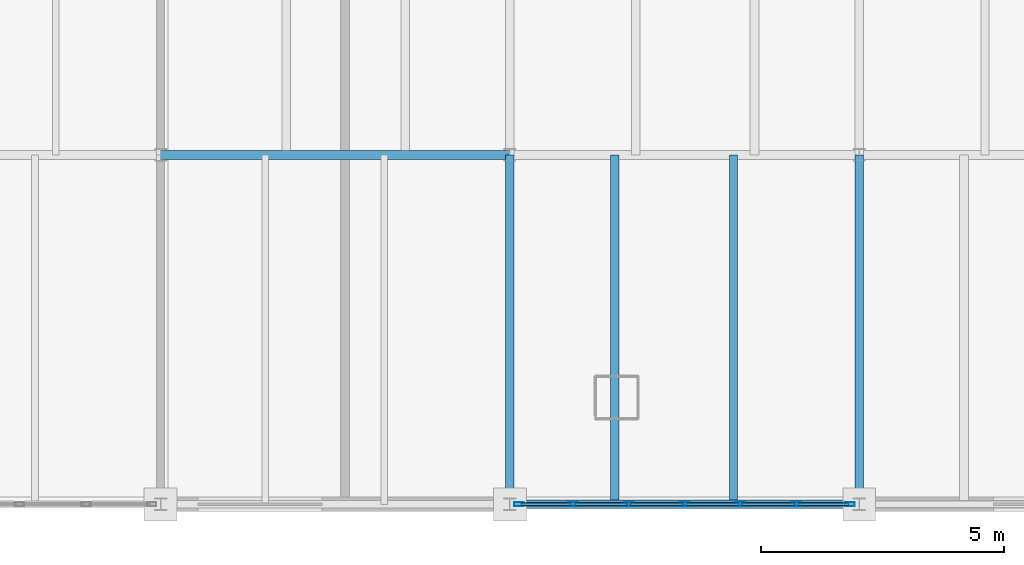
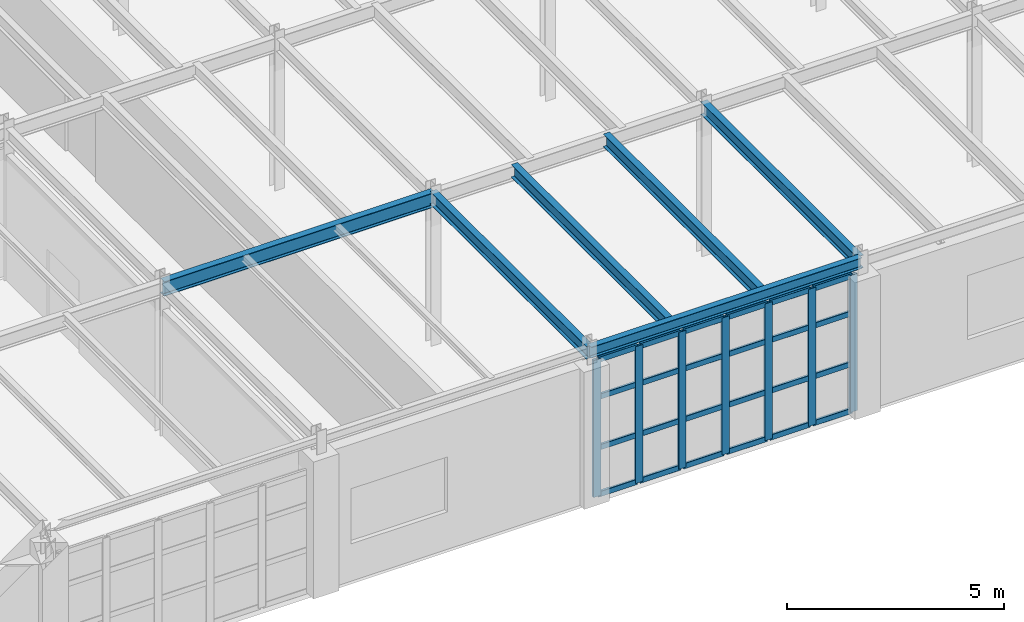
# One storey, part 10 of 36: 31 members, 6 beams, 1 element without a shape of its own.
"""IFC4 building model written with IfcOpenShell, lengths in metres."""

from ifc_helpers import new_model, si_unit, direction, frame, origin, origin_2d, place, context, subcontext, project, spatial, hollow_rectangle, i_section, extrude, material, layer, layer_set, material_profile, profile_set, type_object, element, aggregate, save


model = new_model("IFC4")

# Units and contexts
model_context = context("Model", 3, precision=1e-05, world=origin(), true_north=direction((0.0, 1.0)))
body_context = subcontext(model_context, "Body", "Model", "MODEL_VIEW")
ifc_project = project(units=[si_unit("LENGTHUNIT", "METRE"), si_unit("AREAUNIT", "SQUARE_METRE"), si_unit("VOLUMEUNIT", "CUBIC_METRE"), si_unit("PLANEANGLEUNIT", "RADIAN"), si_unit("MASSUNIT", "GRAM", prefix="KILO")], contexts=[model_context])

# Site, building, storey
site_placement = place(None, origin())
site = spatial("IfcSite", under=ifc_project, at=site_placement, CompositionType="ELEMENT")
building_placement = place(site_placement, origin())
building = spatial("IfcBuilding", under=site, at=building_placement, Name="Kemerveld Promenade Tramway Depot", CompositionType="ELEMENT")
storey_placement = place(building_placement, frame((0.0, 0.0, 14.39990234375)))
storey = spatial("IfcBuildingStorey", under=building, at=storey_placement, Name="L03", CompositionType="ELEMENT", Elevation=14.39990234375)

# Beams
ifc_material_1 = material(Name="Steel S355", Category="steel")
ifc_material_profile_1 = material_profile(ifc_material_1, i_section(OverallWidth=0.1787109375, OverallDepth=0.409423828125, WebThickness=0.0087890625, FlangeThickness=0.014404296875, FilletRadius=0.01025390625, at=origin_2d()), Name="406x178x67 UB")
ifc_profile_set_1 = profile_set([ifc_material_profile_1], Name="Steel S355")
beam_type_1 = type_object("IfcBeamType", Name="BM-G07", PredefinedType="BEAM", material=ifc_profile_set_1)
beam_1_placement = place(storey_placement, frame((14.39990234375, 7.199951171875, 4.080322265625), z_axis=(1.0, 0.0, 0.0), x_axis=(0.0, 1.0, 0.0)))
element("IfcBeam", 1, at=beam_1_placement, inside=storey, type_object=beam_type_1, Name="BMX-L03-03-04-B", PredefinedType="BEAM", context=body_context, shape_type="SweptSolid", body=[
    extrude(i_section(OverallWidth=0.1787109375, OverallDepth=0.409423828125, WebThickness=0.0087890625, FlangeThickness=0.014404296875, FilletRadius=0.01025390625, at=origin_2d()), origin(), (0.0, 0.0, 1.0), 7.2001953125),
])
ifc_material_profile_2 = material_profile(ifc_material_1, i_section(OverallWidth=0.172119140625, OverallDepth=0.35791015625, WebThickness=0.008056640625, FlangeThickness=0.012939453125, FilletRadius=0.01025390625, at=origin_2d()), Name="356x171x57 UB")
ifc_profile_set_2 = profile_set([ifc_material_profile_2], Name="Steel S355")
beam_type_2 = type_object("IfcBeamType", Name="BM-G08", PredefinedType="BEAM", material=ifc_profile_set_2)
for number, where, z_axis, x_axis, name in (
    (2, (21.60009765625, 0.0, 4.106201171875), (0.0, 1.0, 0.0), (-1.0, 0.0, 0.0), "BMY-L03-04-A-B"),
    (3, (28.800048828125, 0.0, 4.106201171875), (0.0, 1.0, 0.0), (-1.0, 0.0, 0.0), "BMY-L03-05-A-B"),
):
    element("IfcBeam", number, at=place(storey_placement, frame(where, z_axis=z_axis, x_axis=x_axis)), inside=storey, type_object=beam_type_2, Name=name, PredefinedType="BEAM", context=body_context, shape_type="SweptSolid", body=[
        extrude(i_section(OverallWidth=0.172119140625, OverallDepth=0.35791015625, WebThickness=0.008056640625, FlangeThickness=0.012939453125, FilletRadius=0.01025390625, at=origin_2d()), origin(), (0.0, 0.0, 1.0), 7.199951171875),
    ])
ifc_material_profile_3 = material_profile(ifc_material_1, i_section(OverallWidth=0.165771484375, OverallDepth=0.306640625, WebThickness=0.006591796875, FlangeThickness=0.01171875, FilletRadius=0.0087890625, at=origin_2d()), Name="305x165x46 UB")
ifc_profile_set_3 = profile_set([ifc_material_profile_3], Name="Steel S355")
beam_type_3 = type_object("IfcBeamType", Name="BM-G16", PredefinedType="BEAM", material=ifc_profile_set_3)
beam_2_placement = place(storey_placement, frame((21.60009765625, 0.0, 4.1318359375), z_axis=(1.0, 0.0, 0.0), x_axis=(0.0, 1.0, 0.0)))
element("IfcBeam", 4, at=beam_2_placement, inside=storey, type_object=beam_type_3, Name="BMX-L03-04-05-A", PredefinedType="BEAM", context=body_context, shape_type="SweptSolid", body=[
    extrude(i_section(OverallWidth=0.165771484375, OverallDepth=0.306640625, WebThickness=0.006591796875, FlangeThickness=0.01171875, FilletRadius=0.0087890625, at=origin_2d()), origin(), (0.0, 0.0, 1.0), 7.199951171875),
])
ifc_material_profile_4 = material_profile(ifc_material_1, i_section(OverallWidth=0.172119140625, OverallDepth=0.35791015625, WebThickness=0.008056640625, FlangeThickness=0.012939453125, FilletRadius=0.01025390625, at=origin_2d()), Name="356x171x57 UB")
ifc_profile_set_4 = profile_set([ifc_material_profile_4], Name="Steel S355")
beam_type_4 = type_object("IfcBeamType", Name="BM-J04", PredefinedType="JOIST", material=ifc_profile_set_4)
for number, where, z_axis, x_axis, name in (
    (5, (23.760009765625, 0.0, 4.106201171875), (0.0, 1.0, 0.0), (-1.0, 0.0, 0.0), "JST-L03-04-A-1"),
    (6, (26.2080078125, 0.0, 4.106201171875), (0.0, 1.0, 0.0), (-1.0, 0.0, 0.0), "JST-L03-04-A-2"),
):
    element("IfcBeam", number, at=place(storey_placement, frame(where, z_axis=z_axis, x_axis=x_axis)), inside=storey, type_object=beam_type_4, Name=name, PredefinedType="JOIST", context=body_context, shape_type="SweptSolid", body=[
        extrude(i_section(OverallWidth=0.172119140625, OverallDepth=0.35791015625, WebThickness=0.008056640625, FlangeThickness=0.012939453125, FilletRadius=0.01025390625, at=origin_2d()), origin(), (0.0, 0.0, 1.0), 7.199951171875),
    ])

# Curtain wall, members
ifc_material_2 = material(Name="Bronze anodised aluminium and solar glass", Category="aluminium")
ifc_layer = layer(ifc_material_2, 0.199951171875)
ifc_layer_set = layer_set([ifc_layer], Name="CW-SYS-06")
curtain_wall_type = type_object("IfcCurtainWallType", Name="CW-SYS-06", PredefinedType="USERDEFINED", material=ifc_layer_set)
curtain_wall_placement = place(storey_placement, origin())
curtain_wall = element("IfcCurtainWall", 7, at=curtain_wall_placement, inside=storey, type_object=curtain_wall_type, Name="CW-L03-V5S-03", ObjectType="GLAZED_CURTAIN_WALL", PredefinedType="USERDEFINED")
ifc_material_3 = material(Name="Bronze anodised aluminium", Category="aluminium")
ifc_material_profile_5 = material_profile(ifc_material_3, hollow_rectangle(XDim=0.074951171875, YDim=0.199951171875, WallThickness=0.0048828125, InnerFilletRadius=0.001953125, OuterFilletRadius=0.0048828125, at=origin_2d()), Name="CW-MUL-200x75")
ifc_profile_set_5 = profile_set([ifc_material_profile_5], Name="Bronze anodised aluminium")
member_type_1 = type_object("IfcMemberType", Name="CW-MUL-B", PredefinedType="MULLION", material=ifc_profile_set_5)
member_1_placement = place(storey_placement, frame((28.6123046875, 0.0, 0.0), z_axis=(0.0, 0.0, 1.0), x_axis=(0.0, -1.0, 0.0)))
member_1 = element("IfcMember", 8, at=member_1_placement, type_object=member_type_1, Name="CW06 mullion 1", PredefinedType="MULLION", context=body_context, shape_type="SweptSolid", body=[
    extrude(hollow_rectangle(XDim=0.074951171875, YDim=0.199951171875, WallThickness=0.0048828125, InnerFilletRadius=0.001953125, OuterFilletRadius=0.0048828125, at=origin_2d()), origin(), (0.0, 0.0, 1.0), 3.85009765625),
])
member_2_placement = place(storey_placement, frame((27.5, 0.0, 0.0), z_axis=(0.0, 0.0, 1.0), x_axis=(0.0, -1.0, 0.0)))
member_2 = element("IfcMember", 9, at=member_2_placement, type_object=member_type_1, Name="CW06 mullion 2", PredefinedType="MULLION", context=body_context, shape_type="SweptSolid", body=[
    extrude(hollow_rectangle(XDim=0.074951171875, YDim=0.199951171875, WallThickness=0.0048828125, InnerFilletRadius=0.001953125, OuterFilletRadius=0.0048828125, at=origin_2d()), origin(), (0.0, 0.0, 1.0), 3.85009765625),
])
member_3_placement = place(storey_placement, frame((26.35009765625, 0.0, 0.0), z_axis=(0.0, 0.0, 1.0), x_axis=(0.0, -1.0, 0.0)))
member_3 = element("IfcMember", 10, at=member_3_placement, type_object=member_type_1, Name="CW06 mullion 3", PredefinedType="MULLION", context=body_context, shape_type="SweptSolid", body=[
    extrude(hollow_rectangle(XDim=0.074951171875, YDim=0.199951171875, WallThickness=0.0048828125, InnerFilletRadius=0.001953125, OuterFilletRadius=0.0048828125, at=origin_2d()), origin(), (0.0, 0.0, 1.0), 3.85009765625),
])
member_4_placement = place(storey_placement, frame((25.199951171875, 0.0, 0.0), z_axis=(0.0, 0.0, 1.0), x_axis=(0.0, -1.0, 0.0)))
member_4 = element("IfcMember", 11, at=member_4_placement, type_object=member_type_1, Name="CW06 mullion 4", PredefinedType="MULLION", context=body_context, shape_type="SweptSolid", body=[
    extrude(hollow_rectangle(XDim=0.074951171875, YDim=0.199951171875, WallThickness=0.0048828125, InnerFilletRadius=0.001953125, OuterFilletRadius=0.0048828125, at=origin_2d()), origin(), (0.0, 0.0, 1.0), 3.85009765625),
])
member_5_placement = place(storey_placement, frame((24.050048828125, 0.0, 0.0), z_axis=(0.0, 0.0, 1.0), x_axis=(0.0, -1.0, 0.0)))
member_5 = element("IfcMember", 12, at=member_5_placement, type_object=member_type_1, Name="CW06 mullion 5", PredefinedType="MULLION", context=body_context, shape_type="SweptSolid", body=[
    extrude(hollow_rectangle(XDim=0.074951171875, YDim=0.199951171875, WallThickness=0.0048828125, InnerFilletRadius=0.001953125, OuterFilletRadius=0.0048828125, at=origin_2d()), origin(), (0.0, 0.0, 1.0), 3.85009765625),
])
member_6_placement = place(storey_placement, frame((22.900146484375, 0.0, 0.0), z_axis=(0.0, 0.0, 1.0), x_axis=(0.0, -1.0, 0.0)))
member_6 = element("IfcMember", 13, at=member_6_placement, type_object=member_type_1, Name="CW06 mullion 6", PredefinedType="MULLION", context=body_context, shape_type="SweptSolid", body=[
    extrude(hollow_rectangle(XDim=0.074951171875, YDim=0.199951171875, WallThickness=0.0048828125, InnerFilletRadius=0.001953125, OuterFilletRadius=0.0048828125, at=origin_2d()), origin(), (0.0, 0.0, 1.0), 3.85009765625),
])
member_7_placement = place(storey_placement, frame((21.78759765625, 0.0, 0.0), z_axis=(0.0, 0.0, 1.0), x_axis=(0.0, -1.0, 0.0)))
member_7 = element("IfcMember", 14, at=member_7_placement, type_object=member_type_1, Name="CW06 mullion 7", PredefinedType="MULLION", context=body_context, shape_type="SweptSolid", body=[
    extrude(hollow_rectangle(XDim=0.074951171875, YDim=0.199951171875, WallThickness=0.0048828125, InnerFilletRadius=0.001953125, OuterFilletRadius=0.0048828125, at=origin_2d()), origin(), (0.0, 0.0, 1.0), 3.85009765625),
])
ifc_material_profile_6 = material_profile(ifc_material_3, hollow_rectangle(XDim=0.06494140625, YDim=0.14990234375, WallThickness=0.00439453125, InnerFilletRadius=0.001953125, OuterFilletRadius=0.00439453125, at=origin_2d()), Name="CW-TRN-150x65")
ifc_profile_set_6 = profile_set([ifc_material_profile_6], Name="Bronze anodised aluminium")
member_type_2 = type_object("IfcMemberType", Name="CW-TRN-B", PredefinedType="USERDEFINED", material=ifc_profile_set_6)
member_8_placement = place(storey_placement, frame((28.574951171875, 0.0, 0.03271484375), z_axis=(-1.0, 0.0, 0.0), x_axis=(0.0, -1.0, 0.0)))
member_8 = element("IfcMember", 15, at=member_8_placement, type_object=member_type_2, Name="CW06 transom 1.1", ObjectType="TRANSOM", PredefinedType="USERDEFINED", context=body_context, shape_type="SweptSolid", body=[
    extrude(hollow_rectangle(XDim=0.06494140625, YDim=0.14990234375, WallThickness=0.00439453125, InnerFilletRadius=0.001953125, OuterFilletRadius=0.00439453125, at=origin_2d()), origin(), (0.0, 0.0, 1.0), 1.03759765625),
])
member_9_placement = place(storey_placement, frame((28.574951171875, 0.0, 1.34814453125), z_axis=(-1.0, 0.0, 0.0), x_axis=(0.0, -1.0, 0.0)))
member_9 = element("IfcMember", 16, at=member_9_placement, type_object=member_type_2, Name="CW06 transom 1.2", ObjectType="TRANSOM", PredefinedType="USERDEFINED", context=body_context, shape_type="SweptSolid", body=[
    extrude(hollow_rectangle(XDim=0.06494140625, YDim=0.14990234375, WallThickness=0.00439453125, InnerFilletRadius=0.001953125, OuterFilletRadius=0.00439453125, at=origin_2d()), origin(), (0.0, 0.0, 1.0), 1.03759765625),
])
member_10_placement = place(storey_placement, frame((28.574951171875, 0.0, 2.772216796875), z_axis=(-1.0, 0.0, 0.0), x_axis=(0.0, -1.0, 0.0)))
member_10 = element("IfcMember", 17, at=member_10_placement, type_object=member_type_2, Name="CW06 transom 1.3", ObjectType="TRANSOM", PredefinedType="USERDEFINED", context=body_context, shape_type="SweptSolid", body=[
    extrude(hollow_rectangle(XDim=0.06494140625, YDim=0.14990234375, WallThickness=0.00439453125, InnerFilletRadius=0.001953125, OuterFilletRadius=0.00439453125, at=origin_2d()), origin(), (0.0, 0.0, 1.0), 1.03759765625),
])
member_11_placement = place(storey_placement, frame((28.574951171875, 0.0, 3.817626953125), z_axis=(-1.0, 0.0, 0.0), x_axis=(0.0, -1.0, 0.0)))
member_11 = element("IfcMember", 18, at=member_11_placement, type_object=member_type_2, Name="CW06 transom 1.4", ObjectType="TRANSOM", PredefinedType="USERDEFINED", context=body_context, shape_type="SweptSolid", body=[
    extrude(hollow_rectangle(XDim=0.06494140625, YDim=0.14990234375, WallThickness=0.00439453125, InnerFilletRadius=0.001953125, OuterFilletRadius=0.00439453125, at=origin_2d()), origin(), (0.0, 0.0, 1.0), 1.03759765625),
])
member_12_placement = place(storey_placement, frame((27.46240234375, 0.0, 0.03271484375), z_axis=(-1.0, 0.0, 0.0), x_axis=(0.0, -1.0, 0.0)))
member_12 = element("IfcMember", 19, at=member_12_placement, type_object=member_type_2, Name="CW06 transom 2.1", ObjectType="TRANSOM", PredefinedType="USERDEFINED", context=body_context, shape_type="SweptSolid", body=[
    extrude(hollow_rectangle(XDim=0.06494140625, YDim=0.14990234375, WallThickness=0.00439453125, InnerFilletRadius=0.001953125, OuterFilletRadius=0.00439453125, at=origin_2d()), origin(), (0.0, 0.0, 1.0), 1.074951171875),
])
member_13_placement = place(storey_placement, frame((27.46240234375, 0.0, 1.34814453125), z_axis=(-1.0, 0.0, 0.0), x_axis=(0.0, -1.0, 0.0)))
member_13 = element("IfcMember", 20, at=member_13_placement, type_object=member_type_2, Name="CW06 transom 2.2", ObjectType="TRANSOM", PredefinedType="USERDEFINED", context=body_context, shape_type="SweptSolid", body=[
    extrude(hollow_rectangle(XDim=0.06494140625, YDim=0.14990234375, WallThickness=0.00439453125, InnerFilletRadius=0.001953125, OuterFilletRadius=0.00439453125, at=origin_2d()), origin(), (0.0, 0.0, 1.0), 1.074951171875),
])
member_14_placement = place(storey_placement, frame((27.46240234375, 0.0, 2.772216796875), z_axis=(-1.0, 0.0, 0.0), x_axis=(0.0, -1.0, 0.0)))
member_14 = element("IfcMember", 21, at=member_14_placement, type_object=member_type_2, Name="CW06 transom 2.3", ObjectType="TRANSOM", PredefinedType="USERDEFINED", context=body_context, shape_type="SweptSolid", body=[
    extrude(hollow_rectangle(XDim=0.06494140625, YDim=0.14990234375, WallThickness=0.00439453125, InnerFilletRadius=0.001953125, OuterFilletRadius=0.00439453125, at=origin_2d()), origin(), (0.0, 0.0, 1.0), 1.074951171875),
])
member_15_placement = place(storey_placement, frame((27.46240234375, 0.0, 3.817626953125), z_axis=(-1.0, 0.0, 0.0), x_axis=(0.0, -1.0, 0.0)))
member_15 = element("IfcMember", 22, at=member_15_placement, type_object=member_type_2, Name="CW06 transom 2.4", ObjectType="TRANSOM", PredefinedType="USERDEFINED", context=body_context, shape_type="SweptSolid", body=[
    extrude(hollow_rectangle(XDim=0.06494140625, YDim=0.14990234375, WallThickness=0.00439453125, InnerFilletRadius=0.001953125, OuterFilletRadius=0.00439453125, at=origin_2d()), origin(), (0.0, 0.0, 1.0), 1.074951171875),
])
member_16_placement = place(storey_placement, frame((26.3125, 0.0, 0.03271484375), z_axis=(-1.0, 0.0, 0.0), x_axis=(0.0, -1.0, 0.0)))
member_16 = element("IfcMember", 23, at=member_16_placement, type_object=member_type_2, Name="CW06 transom 3.1", ObjectType="TRANSOM", PredefinedType="USERDEFINED", context=body_context, shape_type="SweptSolid", body=[
    extrude(hollow_rectangle(XDim=0.06494140625, YDim=0.14990234375, WallThickness=0.00439453125, InnerFilletRadius=0.001953125, OuterFilletRadius=0.00439453125, at=origin_2d()), origin(), (0.0, 0.0, 1.0), 1.074951171875),
])
member_17_placement = place(storey_placement, frame((26.3125, 0.0, 1.34814453125), z_axis=(-1.0, 0.0, 0.0), x_axis=(0.0, -1.0, 0.0)))
member_17 = element("IfcMember", 24, at=member_17_placement, type_object=member_type_2, Name="CW06 transom 3.2", ObjectType="TRANSOM", PredefinedType="USERDEFINED", context=body_context, shape_type="SweptSolid", body=[
    extrude(hollow_rectangle(XDim=0.06494140625, YDim=0.14990234375, WallThickness=0.00439453125, InnerFilletRadius=0.001953125, OuterFilletRadius=0.00439453125, at=origin_2d()), origin(), (0.0, 0.0, 1.0), 1.074951171875),
])
member_18_placement = place(storey_placement, frame((26.3125, 0.0, 2.772216796875), z_axis=(-1.0, 0.0, 0.0), x_axis=(0.0, -1.0, 0.0)))
member_18 = element("IfcMember", 25, at=member_18_placement, type_object=member_type_2, Name="CW06 transom 3.3", ObjectType="TRANSOM", PredefinedType="USERDEFINED", context=body_context, shape_type="SweptSolid", body=[
    extrude(hollow_rectangle(XDim=0.06494140625, YDim=0.14990234375, WallThickness=0.00439453125, InnerFilletRadius=0.001953125, OuterFilletRadius=0.00439453125, at=origin_2d()), origin(), (0.0, 0.0, 1.0), 1.074951171875),
])
member_19_placement = place(storey_placement, frame((26.3125, 0.0, 3.817626953125), z_axis=(-1.0, 0.0, 0.0), x_axis=(0.0, -1.0, 0.0)))
member_19 = element("IfcMember", 26, at=member_19_placement, type_object=member_type_2, Name="CW06 transom 3.4", ObjectType="TRANSOM", PredefinedType="USERDEFINED", context=body_context, shape_type="SweptSolid", body=[
    extrude(hollow_rectangle(XDim=0.06494140625, YDim=0.14990234375, WallThickness=0.00439453125, InnerFilletRadius=0.001953125, OuterFilletRadius=0.00439453125, at=origin_2d()), origin(), (0.0, 0.0, 1.0), 1.074951171875),
])
member_20_placement = place(storey_placement, frame((25.16259765625, 0.0, 0.03271484375), z_axis=(-1.0, 0.0, 0.0), x_axis=(0.0, -1.0, 0.0)))
member_20 = element("IfcMember", 27, at=member_20_placement, type_object=member_type_2, Name="CW06 transom 4.1", ObjectType="TRANSOM", PredefinedType="USERDEFINED", context=body_context, shape_type="SweptSolid", body=[
    extrude(hollow_rectangle(XDim=0.06494140625, YDim=0.14990234375, WallThickness=0.00439453125, InnerFilletRadius=0.001953125, OuterFilletRadius=0.00439453125, at=origin_2d()), origin(), (0.0, 0.0, 1.0), 1.074951171875),
])
member_21_placement = place(storey_placement, frame((25.16259765625, 0.0, 1.34814453125), z_axis=(-1.0, 0.0, 0.0), x_axis=(0.0, -1.0, 0.0)))
member_21 = element("IfcMember", 28, at=member_21_placement, type_object=member_type_2, Name="CW06 transom 4.2", ObjectType="TRANSOM", PredefinedType="USERDEFINED", context=body_context, shape_type="SweptSolid", body=[
    extrude(hollow_rectangle(XDim=0.06494140625, YDim=0.14990234375, WallThickness=0.00439453125, InnerFilletRadius=0.001953125, OuterFilletRadius=0.00439453125, at=origin_2d()), origin(), (0.0, 0.0, 1.0), 1.074951171875),
])
member_22_placement = place(storey_placement, frame((25.16259765625, 0.0, 2.772216796875), z_axis=(-1.0, 0.0, 0.0), x_axis=(0.0, -1.0, 0.0)))
member_22 = element("IfcMember", 29, at=member_22_placement, type_object=member_type_2, Name="CW06 transom 4.3", ObjectType="TRANSOM", PredefinedType="USERDEFINED", context=body_context, shape_type="SweptSolid", body=[
    extrude(hollow_rectangle(XDim=0.06494140625, YDim=0.14990234375, WallThickness=0.00439453125, InnerFilletRadius=0.001953125, OuterFilletRadius=0.00439453125, at=origin_2d()), origin(), (0.0, 0.0, 1.0), 1.074951171875),
])
member_23_placement = place(storey_placement, frame((25.16259765625, 0.0, 3.817626953125), z_axis=(-1.0, 0.0, 0.0), x_axis=(0.0, -1.0, 0.0)))
member_23 = element("IfcMember", 30, at=member_23_placement, type_object=member_type_2, Name="CW06 transom 4.4", ObjectType="TRANSOM", PredefinedType="USERDEFINED", context=body_context, shape_type="SweptSolid", body=[
    extrude(hollow_rectangle(XDim=0.06494140625, YDim=0.14990234375, WallThickness=0.00439453125, InnerFilletRadius=0.001953125, OuterFilletRadius=0.00439453125, at=origin_2d()), origin(), (0.0, 0.0, 1.0), 1.074951171875),
])
member_24_placement = place(storey_placement, frame((24.0126953125, 0.0, 0.03271484375), z_axis=(-1.0, 0.0, 0.0), x_axis=(0.0, -1.0, 0.0)))
member_24 = element("IfcMember", 31, at=member_24_placement, type_object=member_type_2, Name="CW06 transom 5.1", ObjectType="TRANSOM", PredefinedType="USERDEFINED", context=body_context, shape_type="SweptSolid", body=[
    extrude(hollow_rectangle(XDim=0.06494140625, YDim=0.14990234375, WallThickness=0.00439453125, InnerFilletRadius=0.001953125, OuterFilletRadius=0.00439453125, at=origin_2d()), origin(), (0.0, 0.0, 1.0), 1.074951171875),
])
member_25_placement = place(storey_placement, frame((24.0126953125, 0.0, 1.34814453125), z_axis=(-1.0, 0.0, 0.0), x_axis=(0.0, -1.0, 0.0)))
member_25 = element("IfcMember", 32, at=member_25_placement, type_object=member_type_2, Name="CW06 transom 5.2", ObjectType="TRANSOM", PredefinedType="USERDEFINED", context=body_context, shape_type="SweptSolid", body=[
    extrude(hollow_rectangle(XDim=0.06494140625, YDim=0.14990234375, WallThickness=0.00439453125, InnerFilletRadius=0.001953125, OuterFilletRadius=0.00439453125, at=origin_2d()), origin(), (0.0, 0.0, 1.0), 1.074951171875),
])
member_26_placement = place(storey_placement, frame((24.0126953125, 0.0, 2.772216796875), z_axis=(-1.0, 0.0, 0.0), x_axis=(0.0, -1.0, 0.0)))
member_26 = element("IfcMember", 33, at=member_26_placement, type_object=member_type_2, Name="CW06 transom 5.3", ObjectType="TRANSOM", PredefinedType="USERDEFINED", context=body_context, shape_type="SweptSolid", body=[
    extrude(hollow_rectangle(XDim=0.06494140625, YDim=0.14990234375, WallThickness=0.00439453125, InnerFilletRadius=0.001953125, OuterFilletRadius=0.00439453125, at=origin_2d()), origin(), (0.0, 0.0, 1.0), 1.074951171875),
])
member_27_placement = place(storey_placement, frame((24.0126953125, 0.0, 3.817626953125), z_axis=(-1.0, 0.0, 0.0), x_axis=(0.0, -1.0, 0.0)))
member_27 = element("IfcMember", 34, at=member_27_placement, type_object=member_type_2, Name="CW06 transom 5.4", ObjectType="TRANSOM", PredefinedType="USERDEFINED", context=body_context, shape_type="SweptSolid", body=[
    extrude(hollow_rectangle(XDim=0.06494140625, YDim=0.14990234375, WallThickness=0.00439453125, InnerFilletRadius=0.001953125, OuterFilletRadius=0.00439453125, at=origin_2d()), origin(), (0.0, 0.0, 1.0), 1.074951171875),
])
member_28_placement = place(storey_placement, frame((22.862548828125, 0.0, 0.03271484375), z_axis=(-1.0, 0.0, 0.0), x_axis=(0.0, -1.0, 0.0)))
member_28 = element("IfcMember", 35, at=member_28_placement, type_object=member_type_2, Name="CW06 transom 6.1", ObjectType="TRANSOM", PredefinedType="USERDEFINED", context=body_context, shape_type="SweptSolid", body=[
    extrude(hollow_rectangle(XDim=0.06494140625, YDim=0.14990234375, WallThickness=0.00439453125, InnerFilletRadius=0.001953125, OuterFilletRadius=0.00439453125, at=origin_2d()), origin(), (0.0, 0.0, 1.0), 1.037353515625),
])
member_29_placement = place(storey_placement, frame((22.862548828125, 0.0, 1.34814453125), z_axis=(-1.0, 0.0, 0.0), x_axis=(0.0, -1.0, 0.0)))
member_29 = element("IfcMember", 36, at=member_29_placement, type_object=member_type_2, Name="CW06 transom 6.2", ObjectType="TRANSOM", PredefinedType="USERDEFINED", context=body_context, shape_type="SweptSolid", body=[
    extrude(hollow_rectangle(XDim=0.06494140625, YDim=0.14990234375, WallThickness=0.00439453125, InnerFilletRadius=0.001953125, OuterFilletRadius=0.00439453125, at=origin_2d()), origin(), (0.0, 0.0, 1.0), 1.037353515625),
])
member_30_placement = place(storey_placement, frame((22.862548828125, 0.0, 2.772216796875), z_axis=(-1.0, 0.0, 0.0), x_axis=(0.0, -1.0, 0.0)))
member_30 = element("IfcMember", 37, at=member_30_placement, type_object=member_type_2, Name="CW06 transom 6.3", ObjectType="TRANSOM", PredefinedType="USERDEFINED", context=body_context, shape_type="SweptSolid", body=[
    extrude(hollow_rectangle(XDim=0.06494140625, YDim=0.14990234375, WallThickness=0.00439453125, InnerFilletRadius=0.001953125, OuterFilletRadius=0.00439453125, at=origin_2d()), origin(), (0.0, 0.0, 1.0), 1.037353515625),
])
member_31_placement = place(storey_placement, frame((22.862548828125, 0.0, 3.817626953125), z_axis=(-1.0, 0.0, 0.0), x_axis=(0.0, -1.0, 0.0)))
member_31 = element("IfcMember", 38, at=member_31_placement, type_object=member_type_2, Name="CW06 transom 6.4", ObjectType="TRANSOM", PredefinedType="USERDEFINED", context=body_context, shape_type="SweptSolid", body=[
    extrude(hollow_rectangle(XDim=0.06494140625, YDim=0.14990234375, WallThickness=0.00439453125, InnerFilletRadius=0.001953125, OuterFilletRadius=0.00439453125, at=origin_2d()), origin(), (0.0, 0.0, 1.0), 1.037353515625),
])
aggregate(curtain_wall, [member_1, member_2, member_3, member_4, member_5, member_6, member_7, member_8, member_9, member_10, member_11, member_12, member_13, member_14, member_15, member_16, member_17, member_18, member_19, member_20, member_21, member_22, member_23, member_24, member_25, member_26, member_27, member_28, member_29, member_30, member_31])

save(model, "model.ifc")
